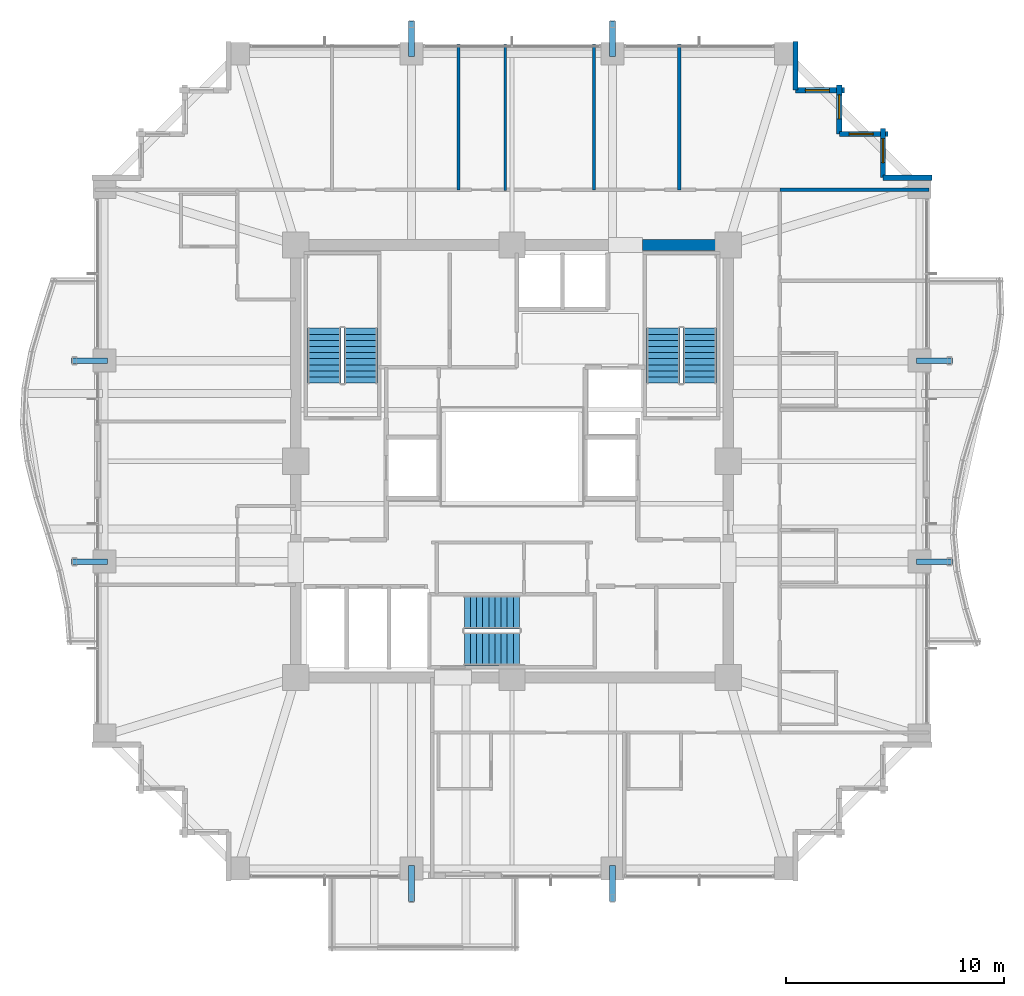
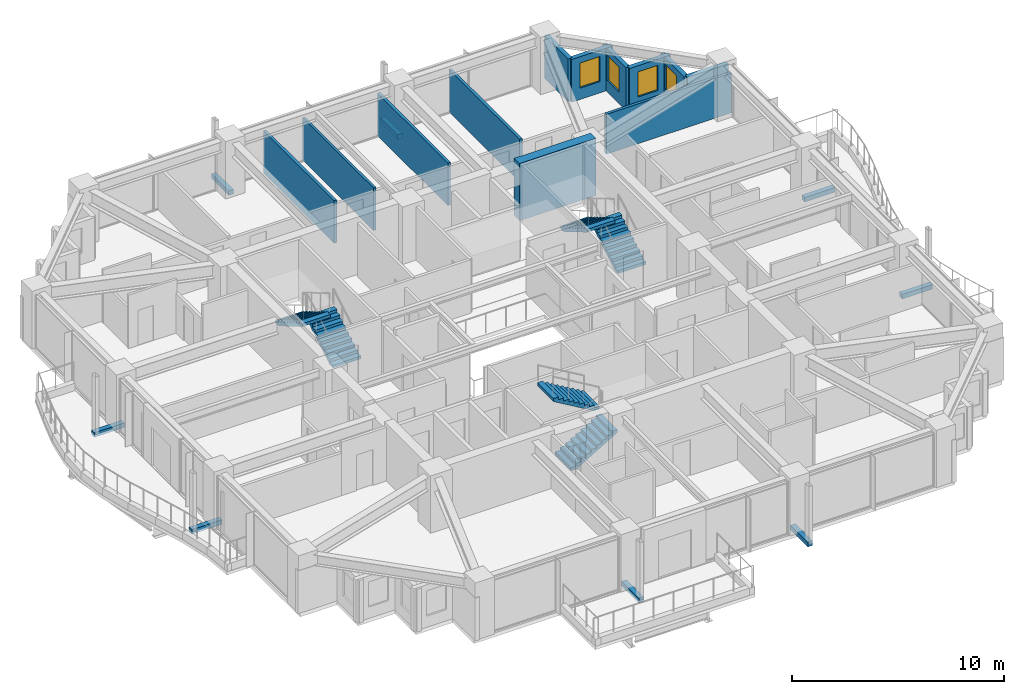
# One storey, part 35 of 38: 12 walls, 8 discrete accessories, 6 stair flights, 4 windows, 4 openings, 3 elements without a shape of their own.
"""IFC4 building model written with IfcOpenShell, lengths in metres."""

from ifc_helpers import new_model, si_unit, direction, frame, frame_2d, origin, origin_2d, place, context, subcontext, project, spatial, polyline, rectangle, outline, extrude, material, layer, layer_set, type_object, element, fill, aggregate, save


model = new_model("IFC4")

# Units and contexts
model_context = context("Model", 3, precision=1e-05, world=origin(), true_north=direction((0.0, 1.0)))
body_context = subcontext(model_context, "Body", "Model", "MODEL_VIEW")
ifc_project = project(units=[si_unit("LENGTHUNIT", "METRE"), si_unit("AREAUNIT", "SQUARE_METRE"), si_unit("VOLUMEUNIT", "CUBIC_METRE"), si_unit("PLANEANGLEUNIT", "RADIAN"), si_unit("MASSUNIT", "GRAM", prefix="KILO")], contexts=[model_context])

# Site, building, storey
site_placement = place(None, origin())
site = spatial("IfcSite", under=ifc_project, at=site_placement, CompositionType="ELEMENT")
building_placement = place(site_placement, origin())
building = spatial("IfcBuilding", under=site, at=building_placement, Name="Kolvaren Belvedere", CompositionType="ELEMENT")
storey_placement = place(building_placement, frame((0.0, 0.0, 121.699951171875)))
storey = spatial("IfcBuildingStorey", under=building, at=storey_placement, Name="L35", CompositionType="ELEMENT", Elevation=121.699951171875)

# Walls
ifc_material_1 = material(Name="Concrete C50/60", Category="concrete")
ifc_layer_1 = layer(ifc_material_1, 0.5)
ifc_layer_set_1 = layer_set([ifc_layer_1], Name="Concrete C50/60")
wall_type_1 = type_object("IfcWallType", Name="CW-CORE-500", PredefinedType="SHEAR", material=ifc_layer_set_1)
wall_1_placement = place(storey_placement, frame((5.97998046875, 9.89990234375, 0.0), z_axis=(0.0, 0.0, 1.0), x_axis=(1.0, 0.0, 0.0)))
element("IfcWall", 1, at=wall_1_placement, inside=storey, type_object=wall_type_1, Name="L35 North Core Shear Wall 2", PredefinedType="SHEAR", context=body_context, shape_type="SweptSolid", body=[
    extrude(rectangle(XDim=4.169921875, YDim=0.5, at=frame_2d((2.0849609375, 0.0))), origin(), (0.0, 0.0, 1.0), 3.300048828125),
])
ifc_material_2 = material(Name="Insulated pale-metal facade wall assembly", Category="aluminium")
ifc_layer_2 = layer(ifc_material_2, 0.239990234375)
ifc_layer_set_2 = layer_set([ifc_layer_2], Name="Insulated pale-metal facade wall assembly")
wall_type_2 = type_object("IfcWallType", Name="WL-EXT-240", PredefinedType="STANDARD", material=ifc_layer_set_2)
wall_2_placement = place(storey_placement, frame((16.97998046875, 12.97998046875, 0.0), z_axis=(0.0, 0.0, 1.0), x_axis=(1.0, 0.0, 0.0)))
element("IfcWall", 2, at=wall_2_placement, inside=storey, type_object=wall_type_2, Name="L35 Serrated Corner Facade Wall 9", PredefinedType="STANDARD", context=body_context, shape_type="SweptSolid", body=[
    extrude(rectangle(XDim=2.239990234375, YDim=0.239990234375, at=frame_2d((1.1201171875, 0.0))), origin(), (0.0, 0.0, 1.0), 2.458984375),
])

# Wall, opening, window
wall_3_placement = place(storey_placement, frame((16.97998046875, 15.219970703125, 0.0), z_axis=(0.0, 0.0, 1.0), x_axis=(0.0, -1.0, 0.0)))
wall_3 = element("IfcWall", 3, at=wall_3_placement, inside=storey, type_object=wall_type_2, Name="L35 Serrated Corner Facade Wall 10", PredefinedType="STANDARD", context=body_context, shape_type="SweptSolid", body=[
    extrude(rectangle(XDim=2.239990234375, YDim=0.239990234375, at=frame_2d((1.1201171875, 0.0))), origin(), (0.0, 0.0, 1.0), 2.458984375),
])
opening_1_placement = place(wall_3_placement, frame((0.449951171875, 0.0, 0.64990234375)))
opening_1 = element("IfcOpeningElement", 4, at=opening_1_placement, cuts=wall_3, Name="Opening W-1100", PredefinedType="OPENING", context=body_context, shape_type="SweptSolid", body=[
    extrude(rectangle(XDim=1.10009765625, YDim=1.449951171875, at=frame_2d((0.550048828125, 0.72509765625))), frame((0.0, 0.1298828125, 0.0), z_axis=(0.0, -1.0, 0.0), x_axis=(1.0, 0.0, 0.0)), (0.0, 0.0, 1.0), 0.260009765625),
])
ifc_material_3 = material(Name="Low-iron triple insulated glass", Category="glass")
window_type = type_object("IfcWindowType", Name="WN-CORN-1100", PartitioningType="SINGLE_PANEL", PredefinedType="WINDOW", material=ifc_material_3)
window_1_placement = place(opening_1_placement, origin())
window_1 = element("IfcWindow", 5, at=window_1_placement, inside=storey, type_object=window_type, Name="L35 Serrated Corner Vision Window 10", OverallHeight=1.449951171875, OverallWidth=1.10009765625, PartitioningType="SINGLE_PANEL", PredefinedType="WINDOW", context=body_context, shape_type="SweptSolid", body=[
    extrude(rectangle(XDim=1.10009765625, YDim=1.449951171875, at=frame_2d((0.550048828125, 0.72509765625))), frame((0.0, 0.030029296875, 0.0), z_axis=(0.0, -1.0, 0.0), x_axis=(1.0, 0.0, 0.0)), (0.0, 0.0, 1.0), 0.06005859375),
])
fill(opening_1, window_1)

wall_4_placement = place(storey_placement, frame((14.97998046875, 14.97998046875, 0.0), z_axis=(0.0, 0.0, 1.0), x_axis=(1.0, 0.0, 0.0)))
wall_4 = element("IfcWall", 6, at=wall_4_placement, inside=storey, type_object=wall_type_2, Name="L35 Serrated Corner Facade Wall 11", PredefinedType="STANDARD", context=body_context, shape_type="SweptSolid", body=[
    extrude(rectangle(XDim=2.239990234375, YDim=0.239990234375, at=frame_2d((1.1201171875, 0.0))), origin(), (0.0, 0.0, 1.0), 2.458984375),
])
opening_2_placement = place(wall_4_placement, frame((0.449951171875, 0.0, 0.64990234375)))
opening_2 = element("IfcOpeningElement", 7, at=opening_2_placement, cuts=wall_4, Name="Opening W-1100", PredefinedType="OPENING", context=body_context, shape_type="SweptSolid", body=[
    extrude(rectangle(XDim=1.10009765625, YDim=1.449951171875, at=frame_2d((0.550048828125, 0.72509765625))), frame((0.0, 0.1298828125, 0.0), z_axis=(0.0, -1.0, 0.0), x_axis=(1.0, 0.0, 0.0)), (0.0, 0.0, 1.0), 0.260009765625),
])
window_2_placement = place(opening_2_placement, origin())
window_2 = element("IfcWindow", 8, at=window_2_placement, inside=storey, type_object=window_type, Name="L35 Serrated Corner Vision Window 11", OverallHeight=1.449951171875, OverallWidth=1.10009765625, PartitioningType="SINGLE_PANEL", PredefinedType="WINDOW", context=body_context, shape_type="SweptSolid", body=[
    extrude(rectangle(XDim=1.10009765625, YDim=1.449951171875, at=frame_2d((0.550048828125, 0.72509765625))), frame((0.0, 0.030029296875, 0.0), z_axis=(0.0, -1.0, 0.0), x_axis=(1.0, 0.0, 0.0)), (0.0, 0.0, 1.0), 0.06005859375),
])
fill(opening_2, window_2)

wall_5_placement = place(storey_placement, frame((14.97998046875, 17.219970703125, 0.0), z_axis=(0.0, 0.0, 1.0), x_axis=(0.0, -1.0, 0.0)))
wall_5 = element("IfcWall", 9, at=wall_5_placement, inside=storey, type_object=wall_type_2, Name="L35 Serrated Corner Facade Wall 12", PredefinedType="STANDARD", context=body_context, shape_type="SweptSolid", body=[
    extrude(rectangle(XDim=2.239990234375, YDim=0.239990234375, at=frame_2d((1.1201171875, 0.0))), origin(), (0.0, 0.0, 1.0), 2.458984375),
])
opening_3_placement = place(wall_5_placement, frame((0.449951171875, 0.0, 0.64990234375)))
opening_3 = element("IfcOpeningElement", 10, at=opening_3_placement, cuts=wall_5, Name="Opening W-1100", PredefinedType="OPENING", context=body_context, shape_type="SweptSolid", body=[
    extrude(rectangle(XDim=1.10009765625, YDim=1.449951171875, at=frame_2d((0.550048828125, 0.72509765625))), frame((0.0, 0.1298828125, 0.0), z_axis=(0.0, -1.0, 0.0), x_axis=(1.0, 0.0, 0.0)), (0.0, 0.0, 1.0), 0.260009765625),
])
window_3_placement = place(opening_3_placement, origin())
window_3 = element("IfcWindow", 11, at=window_3_placement, inside=storey, type_object=window_type, Name="L35 Serrated Corner Vision Window 12", OverallHeight=1.449951171875, OverallWidth=1.10009765625, PartitioningType="SINGLE_PANEL", PredefinedType="WINDOW", context=body_context, shape_type="SweptSolid", body=[
    extrude(rectangle(XDim=1.10009765625, YDim=1.449951171875, at=frame_2d((0.550048828125, 0.72509765625))), frame((0.0, 0.030029296875, 0.0), z_axis=(0.0, -1.0, 0.0), x_axis=(1.0, 0.0, 0.0)), (0.0, 0.0, 1.0), 0.06005859375),
])
fill(opening_3, window_3)

wall_6_placement = place(storey_placement, frame((12.97998046875, 16.97998046875, 0.0), z_axis=(0.0, 0.0, 1.0), x_axis=(1.0, 0.0, 0.0)))
wall_6 = element("IfcWall", 12, at=wall_6_placement, inside=storey, type_object=wall_type_2, Name="L35 Serrated Corner Facade Wall 13", PredefinedType="STANDARD", context=body_context, shape_type="SweptSolid", body=[
    extrude(rectangle(XDim=2.239990234375, YDim=0.239990234375, at=frame_2d((1.1201171875, 0.0))), origin(), (0.0, 0.0, 1.0), 2.458984375),
])
opening_4_placement = place(wall_6_placement, frame((0.449951171875, 0.0, 0.64990234375)))
opening_4 = element("IfcOpeningElement", 13, at=opening_4_placement, cuts=wall_6, Name="Opening W-1100", PredefinedType="OPENING", context=body_context, shape_type="SweptSolid", body=[
    extrude(rectangle(XDim=1.10009765625, YDim=1.449951171875, at=frame_2d((0.550048828125, 0.72509765625))), frame((0.0, 0.1298828125, 0.0), z_axis=(0.0, -1.0, 0.0), x_axis=(1.0, 0.0, 0.0)), (0.0, 0.0, 1.0), 0.260009765625),
])
window_4_placement = place(opening_4_placement, origin())
window_4 = element("IfcWindow", 14, at=window_4_placement, inside=storey, type_object=window_type, Name="L35 Serrated Corner Vision Window 13", OverallHeight=1.449951171875, OverallWidth=1.10009765625, PartitioningType="SINGLE_PANEL", PredefinedType="WINDOW", context=body_context, shape_type="SweptSolid", body=[
    extrude(rectangle(XDim=1.10009765625, YDim=1.449951171875, at=frame_2d((0.550048828125, 0.72509765625))), frame((0.0, 0.030029296875, 0.0), z_axis=(0.0, -1.0, 0.0), x_axis=(1.0, 0.0, 0.0)), (0.0, 0.0, 1.0), 0.06005859375),
])
fill(opening_4, window_4)

# Walls
wall_7_placement = place(storey_placement, frame((12.97998046875, 19.219970703125, 0.0), z_axis=(0.0, 0.0, 1.0), x_axis=(0.0, -1.0, 0.0)))
element("IfcWall", 15, at=wall_7_placement, inside=storey, type_object=wall_type_2, Name="L35 Serrated Corner Facade Wall 14", PredefinedType="STANDARD", context=body_context, shape_type="SweptSolid", body=[
    extrude(rectangle(XDim=2.239990234375, YDim=0.239990234375, at=frame_2d((1.1201171875, 0.0))), origin(), (0.0, 0.0, 1.0), 2.458984375),
])
ifc_material_4 = material(Name="Gypsum acoustic partition assembly", Category="gypsum")
ifc_layer_3 = layer(ifc_material_4, 0.14990234375)
ifc_layer_set_3 = layer_set([ifc_layer_3], Name="Gypsum acoustic partition assembly")
wall_type_3 = type_object("IfcWallType", Name="WL-PART-150", PredefinedType="PARTITIONING", material=ifc_layer_set_3)
wall_8_placement = place(storey_placement, frame((12.260009765625, 12.419921875, 0.0), z_axis=(0.0, 0.0, 1.0), x_axis=(1.0, 0.0, 0.0)))
element("IfcWall", 16, at=wall_8_placement, inside=storey, type_object=wall_type_3, Name="L35 Wing Divider PW-L35-QNE", PredefinedType="PARTITIONING", context=body_context, shape_type="SweptSolid", body=[
    extrude(rectangle(XDim=6.820068359375, YDim=0.14990234375, at=frame_2d((3.41015625, 0.0))), origin(), (0.0, 0.0, 1.0), 2.2919921875),
])
for number, where, z_axis, x_axis, name in (
    (17, (-2.444091796875, 12.419921875, 0.0), (0.0, 0.0, 1.0), (0.0, 1.0, 0.0), "L35 North Suite Demising Wall 2"),
    (18, (3.756103515625, 12.419921875, 0.0), (0.0, 0.0, 1.0), (0.0, 1.0, 0.0), "L35 North Suite Demising Wall 3"),
    (19, (7.656005859375, 12.419921875, 0.0), (0.0, 0.0, 1.0), (0.0, 1.0, 0.0), "L35 North Suite Demising Wall 4"),
):
    element("IfcWall", number, at=place(storey_placement, frame(where, z_axis=z_axis, x_axis=x_axis)), inside=storey, type_object=wall_type_3, Name=name, PredefinedType="PARTITIONING", context=body_context, shape_type="SweptSolid", body=[
        extrude(rectangle(XDim=6.66015625, YDim=0.14990234375, at=frame_2d((3.330078125, 0.0))), origin(), (0.0, 0.0, 1.0), 2.448974609375),
    ])
ifc_material_5 = material(Name="Moisture-resistant gypsum partition", Category="gypsum")
ifc_layer_4 = layer(ifc_material_5, 0.125)
ifc_layer_set_4 = layer_set([ifc_layer_4], Name="Moisture-resistant gypsum partition")
wall_type_4 = type_object("IfcWallType", Name="WL-WET-125", PredefinedType="PARTITIONING", material=ifc_layer_set_4)
wall_9_placement = place(storey_placement, frame((-0.31494140625, 12.39501953125, 0.0), z_axis=(0.0, 0.0, 1.0), x_axis=(0.0, 1.0, 0.0)))
element("IfcWall", 20, at=wall_9_placement, inside=storey, type_object=wall_type_4, Name="L35 Housekeeping Washroom Divider", PredefinedType="PARTITIONING", context=body_context, shape_type="SweptSolid", body=[
    extrude(rectangle(XDim=6.68505859375, YDim=0.125, at=frame_2d((3.342529296875, 0.0))), origin(), (0.0, 0.0, 1.0), 2.448974609375),
])

# Stair, stair flights
ifc_material_6 = material(Name="Concrete C50/60", Category="concrete")
stair_type = type_object("IfcStairType", Name="ST-CORE-1520", PredefinedType="HALF_TURN_STAIR", material=ifc_material_6)
stair_1_placement = place(storey_placement, origin())
stair_1 = element("IfcStair", 21, at=stair_1_placement, inside=storey, type_object=stair_type, Name="L35 Protected Exit Stair ST-1", PredefinedType="HALF_TURN_STAIR")
ifc_material_7 = material(Name="Concrete C50/60", Category="concrete")
stair_flight_type = type_object("IfcStairFlightType", Name="SF-STR-1520", PredefinedType="STRAIGHT", material=ifc_material_7)
stair_flight_1_placement = place(storey_placement, frame((-6.919921875, 3.570068359375, 0.0), z_axis=(0.0, 0.0, 1.0), x_axis=(0.0, 1.0, 0.0)))
stair_flight_1 = element("IfcStairFlight", 22, at=stair_flight_1_placement, type_object=stair_flight_type, Name="ST-1 flight 1", NumberOfRisers=10, NumberOfTreads=9, PredefinedType="STRAIGHT", RiserHeight=0.165, TreadLength=0.28, context=body_context, shape_type="SweptSolid", body=[
    extrude(outline(polyline([(0.0, 0.0), (0.0, 0.1650390625), (0.280029296875, 0.1650390625), (0.280029296875, 0.330078125), (0.56005859375, 0.330078125), (0.56005859375, 0.4951171875), (0.840087890625, 0.4951171875), (0.840087890625, 0.659912109375), (1.1201171875, 0.659912109375), (1.1201171875, 0.824951171875), (1.39990234375, 0.824951171875), (1.39990234375, 0.989990234375), (1.679931640625, 0.989990234375), (1.679931640625, 1.155029296875), (1.9599609375, 1.155029296875), (1.9599609375, 1.320068359375), (2.239990234375, 1.320068359375), (2.239990234375, 1.485107421875), (2.52001953125, 1.485107421875), (2.52001953125, 1.64990234375), (2.52001953125, 1.31103515625), (0.295166015625, 0.0), (0.0, 0.0)])), frame((0.0, 0.760009765625, 0.0), z_axis=(0.0, -1.0, 0.0), x_axis=(1.0, 0.0, 0.0)), (0.0, 0.0, 1.0), 1.52001953125),
])
stair_flight_2_placement = place(storey_placement, frame((-8.590087890625, 6.090087890625, 1.650146484375), z_axis=(0.0, 0.0, 1.0), x_axis=(0.0, -1.0, 0.0)))
stair_flight_2 = element("IfcStairFlight", 23, at=stair_flight_2_placement, type_object=stair_flight_type, Name="ST-1 flight 2", NumberOfRisers=10, NumberOfTreads=9, PredefinedType="STRAIGHT", RiserHeight=0.165, TreadLength=0.28, context=body_context, shape_type="SweptSolid", body=[
    extrude(outline(polyline([(0.0, 0.0), (0.0, 0.1650390625), (0.280029296875, 0.1650390625), (0.280029296875, 0.330078125), (0.56005859375, 0.330078125), (0.56005859375, 0.4951171875), (0.840087890625, 0.4951171875), (0.840087890625, 0.659912109375), (1.1201171875, 0.659912109375), (1.1201171875, 0.824951171875), (1.39990234375, 0.824951171875), (1.39990234375, 0.989990234375), (1.679931640625, 0.989990234375), (1.679931640625, 1.155029296875), (1.9599609375, 1.155029296875), (1.9599609375, 1.320068359375), (2.239990234375, 1.320068359375), (2.239990234375, 1.485107421875), (2.52001953125, 1.485107421875), (2.52001953125, 1.64990234375), (2.52001953125, 1.31103515625), (0.295166015625, 0.0), (0.0, 0.0)])), frame((0.0, 0.760009765625, 0.0), z_axis=(0.0, -1.0, 0.0), x_axis=(1.0, 0.0, 0.0)), (0.0, 0.0, 1.0), 1.52001953125),
])
aggregate(stair_1, [stair_flight_1, stair_flight_2])

stair_2_placement = place(storey_placement, origin())
stair_2 = element("IfcStair", 24, at=stair_2_placement, inside=storey, type_object=stair_type, Name="L35 Protected Exit Stair ST-2", PredefinedType="HALF_TURN_STAIR")
stair_flight_3_placement = place(storey_placement, frame((8.590087890625, 3.570068359375, 0.0), z_axis=(0.0, 0.0, 1.0), x_axis=(0.0, 1.0, 0.0)))
stair_flight_3 = element("IfcStairFlight", 25, at=stair_flight_3_placement, type_object=stair_flight_type, Name="ST-2 flight 1", NumberOfRisers=10, NumberOfTreads=9, PredefinedType="STRAIGHT", RiserHeight=0.165, TreadLength=0.28, context=body_context, shape_type="SweptSolid", body=[
    extrude(outline(polyline([(0.0, 0.0), (0.0, 0.1650390625), (0.280029296875, 0.1650390625), (0.280029296875, 0.330078125), (0.56005859375, 0.330078125), (0.56005859375, 0.4951171875), (0.840087890625, 0.4951171875), (0.840087890625, 0.659912109375), (1.1201171875, 0.659912109375), (1.1201171875, 0.824951171875), (1.39990234375, 0.824951171875), (1.39990234375, 0.989990234375), (1.679931640625, 0.989990234375), (1.679931640625, 1.155029296875), (1.9599609375, 1.155029296875), (1.9599609375, 1.320068359375), (2.239990234375, 1.320068359375), (2.239990234375, 1.485107421875), (2.52001953125, 1.485107421875), (2.52001953125, 1.64990234375), (2.52001953125, 1.31103515625), (0.295166015625, 0.0), (0.0, 0.0)])), frame((0.0, 0.760009765625, 0.0), z_axis=(0.0, -1.0, 0.0), x_axis=(1.0, 0.0, 0.0)), (0.0, 0.0, 1.0), 1.52001953125),
])
stair_flight_4_placement = place(storey_placement, frame((6.919921875, 6.090087890625, 1.650146484375), z_axis=(0.0, 0.0, 1.0), x_axis=(0.0, -1.0, 0.0)))
stair_flight_4 = element("IfcStairFlight", 26, at=stair_flight_4_placement, type_object=stair_flight_type, Name="ST-2 flight 2", NumberOfRisers=10, NumberOfTreads=9, PredefinedType="STRAIGHT", RiserHeight=0.165, TreadLength=0.28, context=body_context, shape_type="SweptSolid", body=[
    extrude(outline(polyline([(0.0, 0.0), (0.0, 0.1650390625), (0.280029296875, 0.1650390625), (0.280029296875, 0.330078125), (0.56005859375, 0.330078125), (0.56005859375, 0.4951171875), (0.840087890625, 0.4951171875), (0.840087890625, 0.659912109375), (1.1201171875, 0.659912109375), (1.1201171875, 0.824951171875), (1.39990234375, 0.824951171875), (1.39990234375, 0.989990234375), (1.679931640625, 0.989990234375), (1.679931640625, 1.155029296875), (1.9599609375, 1.155029296875), (1.9599609375, 1.320068359375), (2.239990234375, 1.320068359375), (2.239990234375, 1.485107421875), (2.52001953125, 1.485107421875), (2.52001953125, 1.64990234375), (2.52001953125, 1.31103515625), (0.295166015625, 0.0), (0.0, 0.0)])), frame((0.0, 0.760009765625, 0.0), z_axis=(0.0, -1.0, 0.0), x_axis=(1.0, 0.0, 0.0)), (0.0, 0.0, 1.0), 1.52001953125),
])
aggregate(stair_2, [stair_flight_3, stair_flight_4])

stair_3_placement = place(storey_placement, origin())
stair_3 = element("IfcStair", 27, at=stair_3_placement, inside=storey, type_object=stair_type, Name="L35 Protected Exit Stair ST-3", PredefinedType="HALF_TURN_STAIR")
stair_flight_5_placement = place(storey_placement, frame((-2.179931640625, -8.590087890625, 0.0), z_axis=(0.0, 0.0, 1.0), x_axis=(1.0, 0.0, 0.0)))
stair_flight_5 = element("IfcStairFlight", 28, at=stair_flight_5_placement, type_object=stair_flight_type, Name="ST-3 flight 1", NumberOfRisers=10, NumberOfTreads=9, PredefinedType="STRAIGHT", RiserHeight=0.165, TreadLength=0.28, context=body_context, shape_type="SweptSolid", body=[
    extrude(outline(polyline([(0.0, 0.0), (0.0, 0.1650390625), (0.280029296875, 0.1650390625), (0.280029296875, 0.330078125), (0.56005859375, 0.330078125), (0.56005859375, 0.4951171875), (0.840087890625, 0.4951171875), (0.840087890625, 0.659912109375), (1.1201171875, 0.659912109375), (1.1201171875, 0.824951171875), (1.39990234375, 0.824951171875), (1.39990234375, 0.989990234375), (1.679931640625, 0.989990234375), (1.679931640625, 1.155029296875), (1.9599609375, 1.155029296875), (1.9599609375, 1.320068359375), (2.239990234375, 1.320068359375), (2.239990234375, 1.485107421875), (2.52001953125, 1.485107421875), (2.52001953125, 1.64990234375), (2.52001953125, 1.31103515625), (0.295166015625, 0.0), (0.0, 0.0)])), frame((0.0, 0.760009765625, 0.0), z_axis=(0.0, -1.0, 0.0), x_axis=(1.0, 0.0, 0.0)), (0.0, 0.0, 1.0), 1.52001953125),
])
stair_flight_6_placement = place(storey_placement, frame((0.340087890625, -6.919921875, 1.650146484375), z_axis=(0.0, 0.0, 1.0), x_axis=(-1.0, 0.0, 0.0)))
stair_flight_6 = element("IfcStairFlight", 29, at=stair_flight_6_placement, type_object=stair_flight_type, Name="ST-3 flight 2", NumberOfRisers=10, NumberOfTreads=9, PredefinedType="STRAIGHT", RiserHeight=0.165, TreadLength=0.28, context=body_context, shape_type="SweptSolid", body=[
    extrude(outline(polyline([(0.0, 0.0), (0.0, 0.1650390625), (0.280029296875, 0.1650390625), (0.280029296875, 0.330078125), (0.56005859375, 0.330078125), (0.56005859375, 0.4951171875), (0.840087890625, 0.4951171875), (0.840087890625, 0.659912109375), (1.1201171875, 0.659912109375), (1.1201171875, 0.824951171875), (1.39990234375, 0.824951171875), (1.39990234375, 0.989990234375), (1.679931640625, 0.989990234375), (1.679931640625, 1.155029296875), (1.9599609375, 1.155029296875), (1.9599609375, 1.320068359375), (2.239990234375, 1.320068359375), (2.239990234375, 1.485107421875), (2.52001953125, 1.485107421875), (2.52001953125, 1.64990234375), (2.52001953125, 1.31103515625), (0.295166015625, 0.0), (0.0, 0.0)])), frame((0.0, 0.760009765625, 0.0), z_axis=(0.0, -1.0, 0.0), x_axis=(1.0, 0.0, 0.0)), (0.0, 0.0, 1.0), 1.52001953125),
])
aggregate(stair_3, [stair_flight_5, stair_flight_6])

# Discrete accessories
ifc_material_8 = material(Name="Structural steel ASTM A572 Grade 50", Category="steel")
discrete_accessory_type = type_object("IfcDiscreteAccessoryType", Name="BRK-1 Steel Facade Support Bracket", PredefinedType="BRACKET", material=ifc_material_8)
for number, where, z_axis, x_axis, name in (
    (30, (-4.60009765625, 19.3349609375, -0.169921875), (0.0, 0.0, 1.0), (0.0, 1.0, 0.0), "L35 Picture-Frame Outrigger Cleat Bracket N1"),
    (31, (4.60009765625, 19.3349609375, -0.169921875), (0.0, 0.0, 1.0), (0.0, 1.0, 0.0), "L35 Picture-Frame Outrigger Cleat Bracket N2"),
    (32, (4.60009765625, -19.3349609375, -0.169921875), (0.0, 0.0, 1.0), (0.0, 1.0, 0.0), "L35 Picture-Frame Outrigger Cleat Bracket S1"),
    (33, (-4.60009765625, -19.3349609375, -0.169921875), (0.0, 0.0, 1.0), (0.0, 1.0, 0.0), "L35 Picture-Frame Outrigger Cleat Bracket S2"),
    (34, (19.3349609375, 4.60009765625, -0.169921875), (0.0, 0.0, 1.0), (1.0, 0.0, 0.0), "L35 Picture-Frame Outrigger Cleat Bracket E1"),
    (35, (19.3349609375, -4.60009765625, -0.169921875), (0.0, 0.0, 1.0), (1.0, 0.0, 0.0), "L35 Picture-Frame Outrigger Cleat Bracket E2"),
    (36, (-19.3349609375, -4.60009765625, -0.169921875), (0.0, 0.0, 1.0), (1.0, 0.0, 0.0), "L35 Picture-Frame Outrigger Cleat Bracket W1"),
    (37, (-19.3349609375, 4.60009765625, -0.169921875), (0.0, 0.0, 1.0), (1.0, 0.0, 0.0), "L35 Picture-Frame Outrigger Cleat Bracket W2"),
):
    element("IfcDiscreteAccessory", number, at=place(storey_placement, frame(where, z_axis=z_axis, x_axis=x_axis)), inside=storey, type_object=discrete_accessory_type, Name=name, PredefinedType="BRACKET", context=body_context, shape_type="SweptSolid", body=[
        extrude(rectangle(XDim=1.639892578125, YDim=0.260009765625, at=origin_2d()), origin(), (0.0, 0.0, 1.0), 0.260009765625),
    ])

save(model, "model.ifc")
